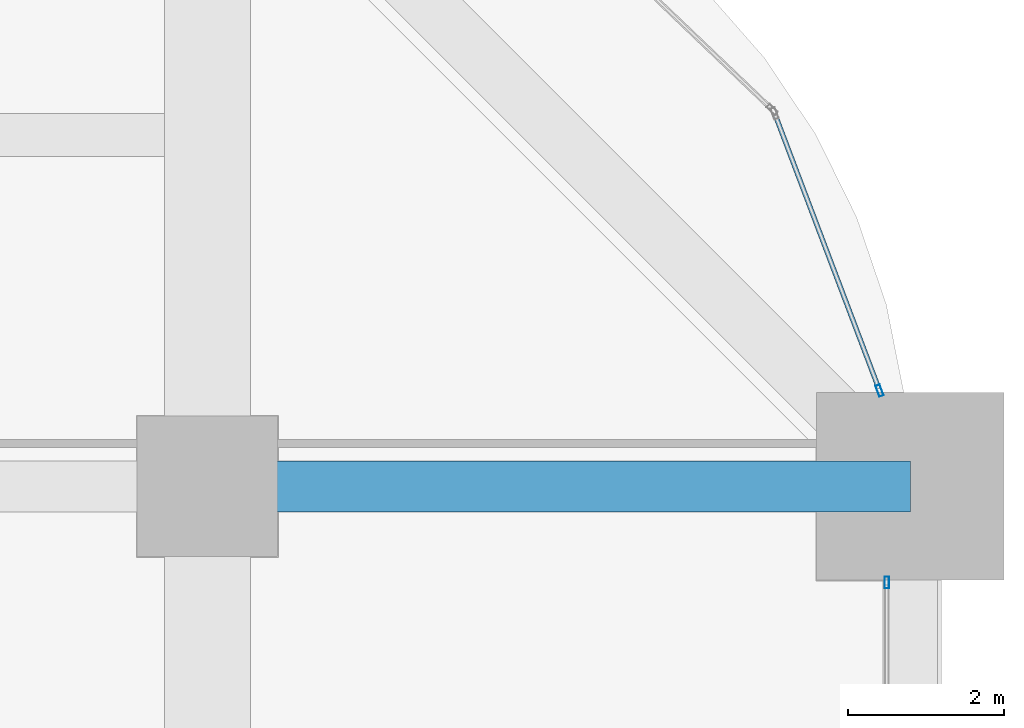
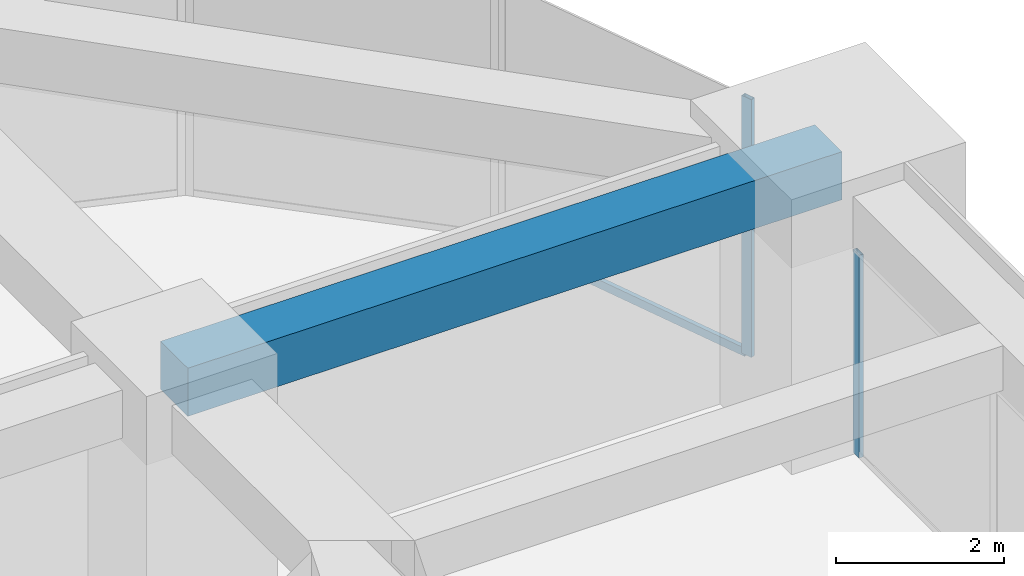
# One storey, part 32 of 39: 3 members, 1 beam, 2 elements without a shape of their own.
"""IFC4 building model written with IfcOpenShell, lengths in metres."""

from ifc_helpers import new_model, si_unit, direction, frame, origin, origin_2d, place, context, subcontext, project, spatial, rectangle, hollow_rectangle, extrude, material, material_profile, profile_set, type_object, element, aggregate, save


model = new_model("IFC4")

# Units and contexts
model_context = context("Model", 3, precision=1e-05, world=origin(), true_north=direction((0.0, 1.0)))
body_context = subcontext(model_context, "Body", "Model", "MODEL_VIEW")
ifc_project = project(units=[si_unit("LENGTHUNIT", "METRE"), si_unit("AREAUNIT", "SQUARE_METRE"), si_unit("VOLUMEUNIT", "CUBIC_METRE"), si_unit("PLANEANGLEUNIT", "RADIAN"), si_unit("MASSUNIT", "GRAM", prefix="KILO")], contexts=[model_context])

# Site, building, storey
site_placement = place(None, origin())
site = spatial("IfcSite", under=ifc_project, at=site_placement, CompositionType="ELEMENT")
building_placement = place(site_placement, origin())
building = spatial("IfcBuilding", under=site, at=building_placement, Name="Zorevar Civic Tower", CompositionType="ELEMENT")
storey_placement = place(building_placement, frame((0.0, 0.0, 125.0)))
storey = spatial("IfcBuildingStorey", under=building, at=storey_placement, Name="L30", CompositionType="ELEMENT", Elevation=125.0)

# Beam
ifc_material_1 = material(Name="Concrete C50/60", Category="concrete")
ifc_material_profile_1 = material_profile(ifc_material_1, rectangle(XDim=0.64990234375, YDim=0.699951171875, at=origin_2d()), Name="RC 650x700")
ifc_profile_set_1 = profile_set([ifc_material_profile_1], Name="Concrete C50/60")
beam_type = type_object("IfcBeamType", Name="Beam RC 650x700", PredefinedType="BEAM", material=ifc_profile_set_1)
beam_placement = place(storey_placement, frame((54.0, 36.0, 3.39990234375), z_axis=(1.0, 0.0, 0.0), x_axis=(0.0, 1.0, 0.0)))
element("IfcBeam", 1, at=beam_placement, inside=storey, type_object=beam_type, Name="Girder L31", PredefinedType="BEAM", context=body_context, shape_type="SweptSolid", body=[
    extrude(rectangle(XDim=0.64990234375, YDim=0.699951171875, at=origin_2d()), origin(), (0.0, 0.0, 1.0), 9.0),
])

# Curtain wall, member
ifc_material_2 = material(Name="Dark grey solar-control glass in black aluminium frame", Category="aluminium")
curtain_wall_type = type_object("IfcCurtainWallType", Name="Curtain wall CW3 mid zone", PredefinedType="NOTDEFINED", material=ifc_material_2)
curtain_wall_1_placement = place(storey_placement, origin())
curtain_wall_1 = element("IfcCurtainWall", 2, at=curtain_wall_1_placement, inside=storey, type_object=curtain_wall_type, Name="CW3 L30", PredefinedType="NOTDEFINED")
ifc_material_3 = material(Name="Aluminium, black anodised", Category="aluminium")
ifc_material_profile_2 = material_profile(ifc_material_3, hollow_rectangle(XDim=0.06005859375, YDim=0.14990234375, WallThickness=0.00390625, at=origin_2d()), Name="AL 150x60x4")
ifc_profile_set_2 = profile_set([ifc_material_profile_2], Name="Aluminium, black anodised")
member_type_1 = type_object("IfcMemberType", Name="CW3 mullion AL 150x60x4", PredefinedType="MULLION", material=ifc_profile_set_2)
member_1_placement = place(storey_placement, frame((62.699951171875, 34.77001953125, 0.0), z_axis=(0.0, 0.0, 1.0), x_axis=(-1.0, 0.0, 0.0)))
member_1 = element("IfcMember", 3, at=member_1_placement, type_object=member_type_1, Name="CW3 mullion 3", PredefinedType="MULLION", context=body_context, shape_type="SweptSolid", body=[
    extrude(hollow_rectangle(XDim=0.06005859375, YDim=0.14990234375, WallThickness=0.00390625, at=origin_2d()), origin(), (0.0, 0.0, 1.0), 2.949951171875),
])
aggregate(curtain_wall_1, [member_1])

# Curtain wall, members
curtain_wall_2_placement = place(storey_placement, origin())
curtain_wall_2 = element("IfcCurtainWall", 4, at=curtain_wall_2_placement, inside=storey, type_object=curtain_wall_type, Name="CW3 L30", PredefinedType="NOTDEFINED")
member_2_placement = place(storey_placement, frame((62.606201171875, 37.22802734375, 0.0), z_axis=(0.0, 0.0, 1.0), x_axis=(-0.935276561184, -0.353917722218, 0.0)))
member_2 = element("IfcMember", 5, at=member_2_placement, type_object=member_type_1, Name="CW3 mullion 1", PredefinedType="MULLION", context=body_context, shape_type="SweptSolid", body=[
    extrude(hollow_rectangle(XDim=0.06005859375, YDim=0.14990234375, WallThickness=0.00390625, at=origin_2d()), origin(), (0.0, 0.0, 1.0), 3.75),
])
ifc_material_4 = material(Name="Aluminium, black anodised", Category="aluminium")
ifc_material_profile_3 = material_profile(ifc_material_4, hollow_rectangle(XDim=0.06005859375, YDim=0.1201171875, WallThickness=0.0029296875, at=origin_2d()), Name="AL 120x60x3")
ifc_profile_set_3 = profile_set([ifc_material_profile_3], Name="Aluminium, black anodised")
member_type_2 = type_object("IfcMemberType", Name="CW3 transom AL 120x60x3", PredefinedType="USERDEFINED", material=ifc_profile_set_3)
member_3_placement = place(storey_placement, frame((62.595458984375, 37.256103515625, 0.030029296875), z_axis=(-0.353923007857, 0.93527456103, 0.0), x_axis=(-0.93527456103, -0.353923007857, 0.0)))
member_3 = element("IfcMember", 6, at=member_3_placement, type_object=member_type_2, Name="CW3 sill transom", ObjectType="TRANSOM", PredefinedType="USERDEFINED", context=body_context, shape_type="SweptSolid", body=[
    extrude(hollow_rectangle(XDim=0.06005859375, YDim=0.1201171875, WallThickness=0.0029296875, at=origin_2d()), origin(), (0.0, 0.0, 1.0), 3.734619140625),
])
aggregate(curtain_wall_2, [member_2, member_3])

save(model, "model.ifc")
